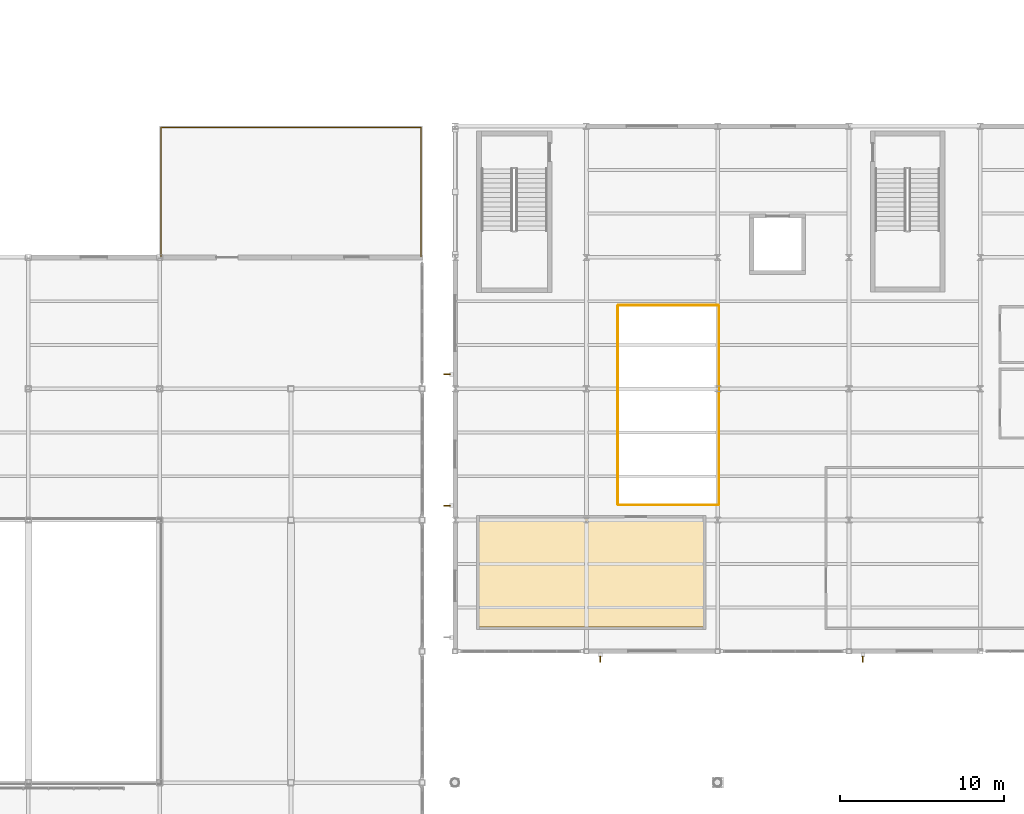
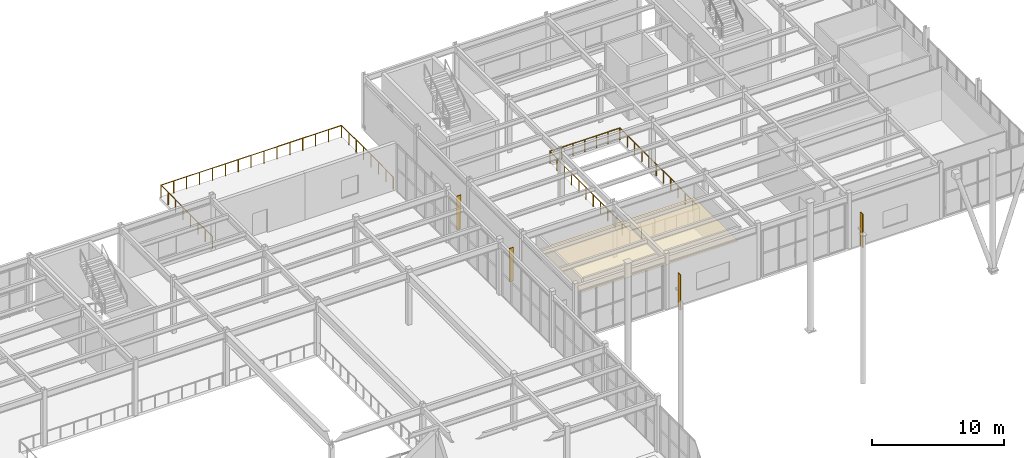
# One storey, part 75 of 77: 5 railings, 4 shading devices, 1 covering.
"""IFC4 building model written with IfcOpenShell, lengths in metres."""

from ifc_helpers import new_model, si_unit, direction, frame, origin, origin_2d, place, context, subcontext, project, spatial, polyline, rectangle, circle, outline, extrude, material, layer, layer_set, type_object, element, save


model = new_model("IFC4")

# Units and contexts
model_context = context("Model", 3, precision=1e-05, world=origin(), true_north=direction((0.0, 1.0)))
body_context = subcontext(model_context, "Body", "Model", "MODEL_VIEW")
ifc_project = project(units=[si_unit("LENGTHUNIT", "METRE"), si_unit("AREAUNIT", "SQUARE_METRE"), si_unit("VOLUMEUNIT", "CUBIC_METRE"), si_unit("PLANEANGLEUNIT", "RADIAN"), si_unit("MASSUNIT", "GRAM", prefix="KILO")], contexts=[model_context])

# Site, building, storey
site_placement = place(None, origin())
site = spatial("IfcSite", under=ifc_project, at=site_placement, CompositionType="ELEMENT")
building_placement = place(site_placement, origin())
building = spatial("IfcBuilding", under=site, at=building_placement, Name="Drelvath Fold Interchange", CompositionType="ELEMENT")
storey_placement = place(building_placement, frame((0.0, 0.0, 6.0)))
storey = spatial("IfcBuildingStorey", under=building, at=storey_placement, Name="L01", CompositionType="ELEMENT", Elevation=6.0)

# Covering
ifc_material_1 = material(Name="Perforated Aluminium Acoustic Ceiling", Category="aluminium")
ifc_layer = layer(ifc_material_1, 0.01806640625, Name="Perforated Aluminium Acoustic Ceiling")
ifc_layer_set = layer_set([ifc_layer], Name="Perforated Aluminium Acoustic Ceiling")
covering_type = type_object("IfcCoveringType", Name="CV-CEIL-AL18", PredefinedType="CEILING", material=ifc_layer_set)
covering_placement = place(storey_placement, frame((0.0, 0.0, 2.830078125)))
element("IfcCovering", 1, at=covering_placement, inside=storey, type_object=covering_type, Name="Electric Bike Charging Studio acoustic ceiling", PredefinedType="CEILING", context=body_context, shape_type="SweptSolid", body=[
    extrude(outline(polyline([(103.469970703125, 76.469970703125), (117.1298828125, 76.469970703125), (117.1298828125, 83.1298828125), (103.469970703125, 83.1298828125), (103.469970703125, 76.469970703125)])), origin(), (0.0, 0.0, 1.0), 0.02001953125),
])

# Railings
ifc_material_2 = material(Name="Stainless Steel 316L", Category="steel")
railing_type_1 = type_object("IfcRailingType", Name="RL-BAL1120", PredefinedType="BALUSTRADE", material=ifc_material_2)
railing_1_placement = place(storey_placement, frame((111.949951171875, 83.919921875, 0.0)))
element("IfcRailing", 2, at=railing_1_placement, inside=storey, type_object=railing_type_1, Name="L01 atrium overlook balustrade 7 (S)", PredefinedType="BALUSTRADE", context=body_context, shape_type="SweptSolid", body=[
    extrude(circle(Radius=0.02392578125, at=origin_2d()), frame((0.0, 0.0, 1.09619140625), z_axis=(1.0, 0.0, 0.0), x_axis=(0.0, 1.0, 0.0)), (0.0, 0.0, 1.0), 6.10009765625),
    extrude(circle(Radius=0.02099609375, at=origin_2d()), origin(), (0.0, 0.0, 1.0), 1.072021484375),
    extrude(circle(Radius=0.02099609375, at=origin_2d()), frame((1.0166015625, 0.0, 0.0)), (0.0, 0.0, 1.0), 1.072021484375),
    extrude(circle(Radius=0.02099609375, at=origin_2d()), frame((2.033447265625, 0.0, 0.0)), (0.0, 0.0, 1.0), 1.072021484375),
    extrude(circle(Radius=0.02099609375, at=origin_2d()), frame((3.050048828125, 0.0, 0.0)), (0.0, 0.0, 1.0), 1.072021484375),
    extrude(circle(Radius=0.02099609375, at=origin_2d()), frame((4.066650390625, 0.0, 0.0)), (0.0, 0.0, 1.0), 1.072021484375),
    extrude(circle(Radius=0.02099609375, at=origin_2d()), frame((5.08349609375, 0.0, 0.0)), (0.0, 0.0, 1.0), 1.072021484375),
    extrude(circle(Radius=0.02099609375, at=origin_2d()), frame((6.10009765625, 0.0, 0.0)), (0.0, 0.0, 1.0), 1.072021484375),
])
railing_2_placement = place(storey_placement, frame((118.080078125, 83.949951171875, 0.0)))
element("IfcRailing", 3, at=railing_2_placement, inside=storey, type_object=railing_type_1, Name="L01 atrium overlook balustrade 7 (E)", PredefinedType="BALUSTRADE", context=body_context, shape_type="SweptSolid", body=[
    extrude(circle(Radius=0.02392578125, at=origin_2d()), frame((0.0, 0.0, 1.09619140625), z_axis=(0.0, 1.0, 0.0), x_axis=(-1.0, 0.0, 0.0)), (0.0, 0.0, 1.0), 12.10009765625),
    extrude(circle(Radius=0.02099609375, at=origin_2d()), origin(), (0.0, 0.0, 1.0), 1.072021484375),
    extrude(circle(Radius=0.02099609375, at=origin_2d()), frame((0.0, 1.10009765625, 0.0)), (0.0, 0.0, 1.0), 1.072021484375),
    extrude(circle(Radius=0.02099609375, at=origin_2d()), frame((0.0, 2.199951171875, 0.0)), (0.0, 0.0, 1.0), 1.072021484375),
    extrude(circle(Radius=0.02099609375, at=origin_2d()), frame((0.0, 3.300048828125, 0.0)), (0.0, 0.0, 1.0), 1.072021484375),
    extrude(circle(Radius=0.02099609375, at=origin_2d()), frame((0.0, 4.400146484375, 0.0)), (0.0, 0.0, 1.0), 1.072021484375),
    extrude(circle(Radius=0.02099609375, at=origin_2d()), frame((0.0, 5.5, 0.0)), (0.0, 0.0, 1.0), 1.072021484375),
    extrude(circle(Radius=0.02099609375, at=origin_2d()), frame((0.0, 6.60009765625, 0.0)), (0.0, 0.0, 1.0), 1.072021484375),
    extrude(circle(Radius=0.02099609375, at=origin_2d()), frame((0.0, 7.699951171875, 0.0)), (0.0, 0.0, 1.0), 1.072021484375),
    extrude(circle(Radius=0.02099609375, at=origin_2d()), frame((0.0, 8.800048828125, 0.0)), (0.0, 0.0, 1.0), 1.072021484375),
    extrude(circle(Radius=0.02099609375, at=origin_2d()), frame((0.0, 9.900146484375, 0.0)), (0.0, 0.0, 1.0), 1.072021484375),
    extrude(circle(Radius=0.02099609375, at=origin_2d()), frame((0.0, 11.0, 0.0)), (0.0, 0.0, 1.0), 1.072021484375),
    extrude(circle(Radius=0.02099609375, at=origin_2d()), frame((0.0, 12.10009765625, 0.0)), (0.0, 0.0, 1.0), 1.072021484375),
])
railing_3_placement = place(storey_placement, frame((118.050048828125, 96.080078125, 0.0)))
element("IfcRailing", 4, at=railing_3_placement, inside=storey, type_object=railing_type_1, Name="L01 atrium overlook balustrade 7 (N)", PredefinedType="BALUSTRADE", context=body_context, shape_type="SweptSolid", body=[
    extrude(circle(Radius=0.02392578125, at=origin_2d()), frame((0.0, 0.0, 1.09619140625), z_axis=(-1.0, 0.0, 0.0), x_axis=(0.0, -1.0, 0.0)), (0.0, 0.0, 1.0), 6.10009765625),
    extrude(circle(Radius=0.02099609375, at=origin_2d()), origin(), (0.0, 0.0, 1.0), 1.072021484375),
    extrude(circle(Radius=0.02099609375, at=origin_2d()), frame((-1.0166015625, 0.0, 0.0)), (0.0, 0.0, 1.0), 1.072021484375),
    extrude(circle(Radius=0.02099609375, at=origin_2d()), frame((-2.033447265625, 0.0, 0.0)), (0.0, 0.0, 1.0), 1.072021484375),
    extrude(circle(Radius=0.02099609375, at=origin_2d()), frame((-3.050048828125, 0.0, 0.0)), (0.0, 0.0, 1.0), 1.072021484375),
    extrude(circle(Radius=0.02099609375, at=origin_2d()), frame((-4.066650390625, 0.0, 0.0)), (0.0, 0.0, 1.0), 1.072021484375),
    extrude(circle(Radius=0.02099609375, at=origin_2d()), frame((-5.08349609375, 0.0, 0.0)), (0.0, 0.0, 1.0), 1.072021484375),
    extrude(circle(Radius=0.02099609375, at=origin_2d()), frame((-6.10009765625, 0.0, 0.0)), (0.0, 0.0, 1.0), 1.072021484375),
])
railing_4_placement = place(storey_placement, frame((111.919921875, 96.050048828125, 0.0)))
element("IfcRailing", 5, at=railing_4_placement, inside=storey, type_object=railing_type_1, Name="L01 atrium overlook balustrade 7 (W)", PredefinedType="BALUSTRADE", context=body_context, shape_type="SweptSolid", body=[
    extrude(circle(Radius=0.02392578125, at=origin_2d()), frame((0.0, 0.0, 1.09619140625), z_axis=(0.0, -1.0, 0.0), x_axis=(1.0, 0.0, 0.0)), (0.0, 0.0, 1.0), 12.10009765625),
    extrude(circle(Radius=0.02099609375, at=origin_2d()), origin(), (0.0, 0.0, 1.0), 1.072021484375),
    extrude(circle(Radius=0.02099609375, at=origin_2d()), frame((0.0, -1.10009765625, 0.0)), (0.0, 0.0, 1.0), 1.072021484375),
    extrude(circle(Radius=0.02099609375, at=origin_2d()), frame((0.0, -2.199951171875, 0.0)), (0.0, 0.0, 1.0), 1.072021484375),
    extrude(circle(Radius=0.02099609375, at=origin_2d()), frame((0.0, -3.300048828125, 0.0)), (0.0, 0.0, 1.0), 1.072021484375),
    extrude(circle(Radius=0.02099609375, at=origin_2d()), frame((0.0, -4.400146484375, 0.0)), (0.0, 0.0, 1.0), 1.072021484375),
    extrude(circle(Radius=0.02099609375, at=origin_2d()), frame((0.0, -5.5, 0.0)), (0.0, 0.0, 1.0), 1.072021484375),
    extrude(circle(Radius=0.02099609375, at=origin_2d()), frame((0.0, -6.60009765625, 0.0)), (0.0, 0.0, 1.0), 1.072021484375),
    extrude(circle(Radius=0.02099609375, at=origin_2d()), frame((0.0, -7.699951171875, 0.0)), (0.0, 0.0, 1.0), 1.072021484375),
    extrude(circle(Radius=0.02099609375, at=origin_2d()), frame((0.0, -8.800048828125, 0.0)), (0.0, 0.0, 1.0), 1.072021484375),
    extrude(circle(Radius=0.02099609375, at=origin_2d()), frame((0.0, -9.900146484375, 0.0)), (0.0, 0.0, 1.0), 1.072021484375),
    extrude(circle(Radius=0.02099609375, at=origin_2d()), frame((0.0, -11.0, 0.0)), (0.0, 0.0, 1.0), 1.072021484375),
    extrude(circle(Radius=0.02099609375, at=origin_2d()), frame((0.0, -12.10009765625, 0.0)), (0.0, 0.0, 1.0), 1.072021484375),
])
railing_type_2 = type_object("IfcRailingType", Name="RL-GRD1150", PredefinedType="GUARDRAIL", material=ifc_material_2)
railing_5_placement = place(storey_placement, frame((84.080078125, 99.050048828125, 0.0)))
element("IfcRailing", 6, at=railing_5_placement, inside=storey, type_object=railing_type_2, Name="L01 outdoor terrace perimeter guard 1", PredefinedType="GUARDRAIL", context=body_context, shape_type="SweptSolid", body=[
    extrude(circle(Radius=0.02392578125, at=origin_2d()), frame((0.0, 0.0, 1.1259765625), z_axis=(0.0, 1.0, 0.0), x_axis=(-1.0, 0.0, 0.0)), (0.0, 0.0, 1.0), 7.869873046875),
    extrude(circle(Radius=0.02392578125, at=origin_2d()), frame((0.0, 7.869873046875, 1.1259765625), z_axis=(1.0, 0.0, 0.0), x_axis=(0.0, 1.0, 0.0)), (0.0, 0.0, 1.0), 15.83984375),
    extrude(circle(Radius=0.02392578125, at=origin_2d()), frame((15.83984375, 7.869873046875, 1.1259765625), z_axis=(0.0, -1.0, 0.0), x_axis=(1.0, 0.0, 0.0)), (0.0, 0.0, 1.0), 7.869873046875),
    extrude(circle(Radius=0.02099609375, at=origin_2d()), origin(), (0.0, 0.0, 1.0), 1.101806640625),
    extrude(circle(Radius=0.02099609375, at=origin_2d()), frame((0.0, 1.124267578125, 0.0)), (0.0, 0.0, 1.0), 1.101806640625),
    extrude(circle(Radius=0.02099609375, at=origin_2d()), frame((0.0, 2.24853515625, 0.0)), (0.0, 0.0, 1.0), 1.101806640625),
    extrude(circle(Radius=0.02099609375, at=origin_2d()), frame((0.0, 3.372802734375, 0.0)), (0.0, 0.0, 1.0), 1.101806640625),
    extrude(circle(Radius=0.02099609375, at=origin_2d()), frame((0.0, 4.4970703125, 0.0)), (0.0, 0.0, 1.0), 1.101806640625),
    extrude(circle(Radius=0.02099609375, at=origin_2d()), frame((0.0, 5.621337890625, 0.0)), (0.0, 0.0, 1.0), 1.101806640625),
    extrude(circle(Radius=0.02099609375, at=origin_2d()), frame((0.0, 6.74560546875, 0.0)), (0.0, 0.0, 1.0), 1.101806640625),
    extrude(circle(Radius=0.02099609375, at=origin_2d()), frame((0.0, 7.869873046875, 0.0)), (0.0, 0.0, 1.0), 1.101806640625),
    extrude(circle(Radius=0.02099609375, at=origin_2d()), frame((1.13134765625, 7.869873046875, 0.0)), (0.0, 0.0, 1.0), 1.101806640625),
    extrude(circle(Radius=0.02099609375, at=origin_2d()), frame((2.262939453125, 7.869873046875, 0.0)), (0.0, 0.0, 1.0), 1.101806640625),
    extrude(circle(Radius=0.02099609375, at=origin_2d()), frame((3.394287109375, 7.869873046875, 0.0)), (0.0, 0.0, 1.0), 1.101806640625),
    extrude(circle(Radius=0.02099609375, at=origin_2d()), frame((4.525634765625, 7.869873046875, 0.0)), (0.0, 0.0, 1.0), 1.101806640625),
    extrude(circle(Radius=0.02099609375, at=origin_2d()), frame((5.656982421875, 7.869873046875, 0.0)), (0.0, 0.0, 1.0), 1.101806640625),
    extrude(circle(Radius=0.02099609375, at=origin_2d()), frame((6.78857421875, 7.869873046875, 0.0)), (0.0, 0.0, 1.0), 1.101806640625),
    extrude(circle(Radius=0.02099609375, at=origin_2d()), frame((7.919921875, 7.869873046875, 0.0)), (0.0, 0.0, 1.0), 1.101806640625),
    extrude(circle(Radius=0.02099609375, at=origin_2d()), frame((9.05126953125, 7.869873046875, 0.0)), (0.0, 0.0, 1.0), 1.101806640625),
    extrude(circle(Radius=0.02099609375, at=origin_2d()), frame((10.182861328125, 7.869873046875, 0.0)), (0.0, 0.0, 1.0), 1.101806640625),
    extrude(circle(Radius=0.02099609375, at=origin_2d()), frame((11.314208984375, 7.869873046875, 0.0)), (0.0, 0.0, 1.0), 1.101806640625),
    extrude(circle(Radius=0.02099609375, at=origin_2d()), frame((12.445556640625, 7.869873046875, 0.0)), (0.0, 0.0, 1.0), 1.101806640625),
    extrude(circle(Radius=0.02099609375, at=origin_2d()), frame((13.576904296875, 7.869873046875, 0.0)), (0.0, 0.0, 1.0), 1.101806640625),
    extrude(circle(Radius=0.02099609375, at=origin_2d()), frame((14.70849609375, 7.869873046875, 0.0)), (0.0, 0.0, 1.0), 1.101806640625),
    extrude(circle(Radius=0.02099609375, at=origin_2d()), frame((15.83984375, 7.869873046875, 0.0)), (0.0, 0.0, 1.0), 1.101806640625),
    extrude(circle(Radius=0.02099609375, at=origin_2d()), frame((15.83984375, 6.74560546875, 0.0)), (0.0, 0.0, 1.0), 1.101806640625),
    extrude(circle(Radius=0.02099609375, at=origin_2d()), frame((15.83984375, 5.621337890625, 0.0)), (0.0, 0.0, 1.0), 1.101806640625),
    extrude(circle(Radius=0.02099609375, at=origin_2d()), frame((15.83984375, 4.4970703125, 0.0)), (0.0, 0.0, 1.0), 1.101806640625),
    extrude(circle(Radius=0.02099609375, at=origin_2d()), frame((15.83984375, 3.372802734375, 0.0)), (0.0, 0.0, 1.0), 1.101806640625),
    extrude(circle(Radius=0.02099609375, at=origin_2d()), frame((15.83984375, 2.24853515625, 0.0)), (0.0, 0.0, 1.0), 1.101806640625),
    extrude(circle(Radius=0.02099609375, at=origin_2d()), frame((15.83984375, 1.124267578125, 0.0)), (0.0, 0.0, 1.0), 1.101806640625),
    extrude(circle(Radius=0.02099609375, at=origin_2d()), frame((15.83984375, 0.0, 0.0)), (0.0, 0.0, 1.0), 1.101806640625),
])

# Shading devices
ifc_material_3 = material(Name="Anodized Aluminium 6063-T6", Category="aluminium")
shading_device_type = type_object("IfcShadingDeviceType", Name="SD-FIN380", PredefinedType="JALOUSIE", material=ifc_material_3)
for number, where, z_axis, x_axis, name in (
    (7, (110.847900390625, 74.512939453125, 0.099853515625), (0.0, 0.0, 1.0), (0.0, 1.0, 0.0), "Vertical aluminium solar fin 10"),
    (8, (126.847900390625, 74.512939453125, 0.099853515625), (0.0, 0.0, 1.0), (0.0, 1.0, 0.0), "Vertical aluminium solar fin 11"),
    (9, (101.512939453125, 83.8740234375, 0.099853515625), (0.0, 0.0, 1.0), (1.0, 0.0, 0.0), "Vertical aluminium solar fin 13"),
    (10, (101.512939453125, 91.8740234375, 0.099853515625), (0.0, 0.0, 1.0), (1.0, 0.0, 0.0), "Vertical aluminium solar fin 14"),
):
    element("IfcShadingDevice", number, at=place(storey_placement, frame(where, z_axis=z_axis, x_axis=x_axis)), inside=storey, type_object=shading_device_type, Name=name, PredefinedType="JALOUSIE", context=body_context, shape_type="SweptSolid", body=[
        extrude(rectangle(XDim=0.3798828125, YDim=0.06494140625, at=origin_2d()), origin(), (0.0, 0.0, 1.0), 3.10009765625),
    ])

save(model, "model.ifc")
